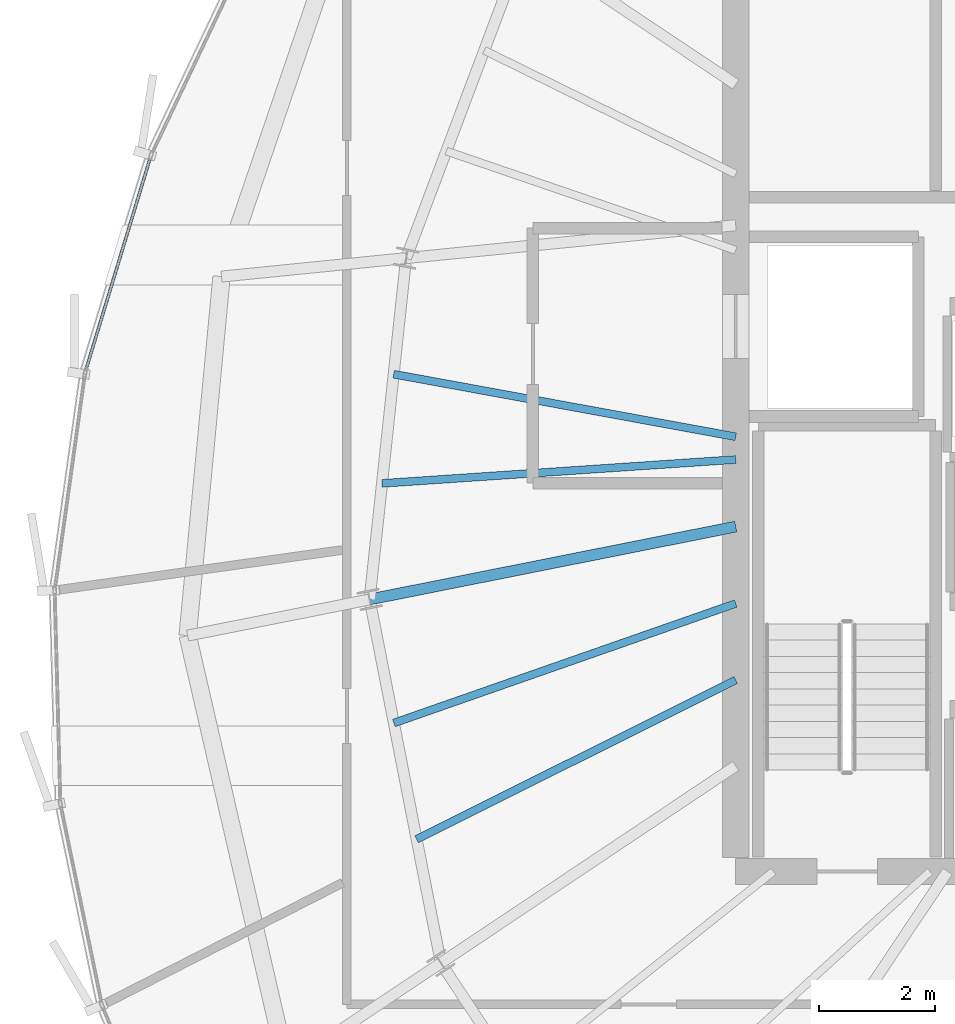
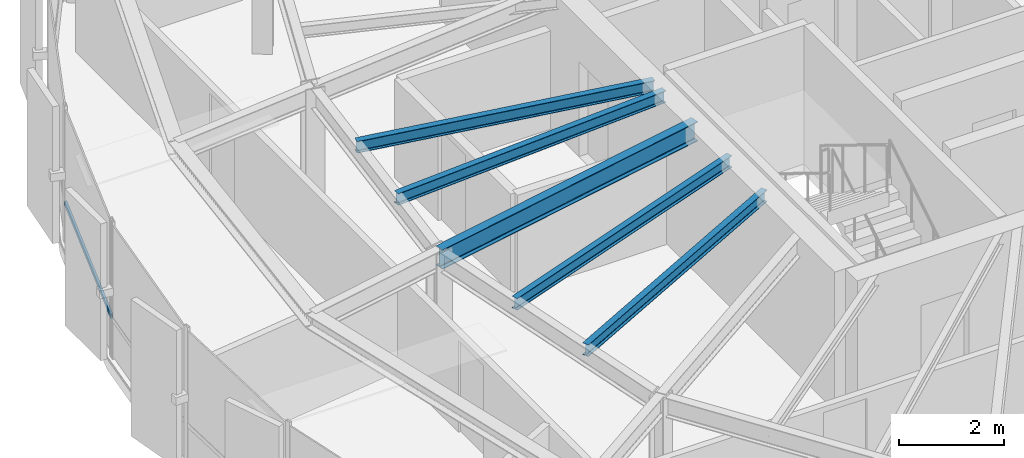
# One storey, part 10 of 35: 5 beams, 1 member, 1 element without a shape of its own.
"""IFC4 building model written with IfcOpenShell, lengths in metres."""

from ifc_helpers import new_model, si_unit, direction, frame, origin, origin_2d, place, context, subcontext, project, spatial, hollow_rectangle, i_section, extrude, source, transform, mapped, material, layer, layer_set, material_profile, profile_set, type_object, element, aggregate, save


model = new_model("IFC4")

# Units and contexts
model_context = context("Model", 3, precision=1e-05, world=origin(), true_north=direction((0.0, 1.0)))
body_context = subcontext(model_context, "Body", "Model", "MODEL_VIEW")
ifc_project = project(units=[si_unit("LENGTHUNIT", "METRE"), si_unit("AREAUNIT", "SQUARE_METRE"), si_unit("VOLUMEUNIT", "CUBIC_METRE"), si_unit("PLANEANGLEUNIT", "RADIAN"), si_unit("MASSUNIT", "GRAM", prefix="KILO"), si_unit("THERMODYNAMICTEMPERATUREUNIT", "KELVIN")], contexts=[model_context])

# Site, building, storey
site_placement = place(None, origin())
site = spatial("IfcSite", under=ifc_project, at=site_placement, CompositionType="ELEMENT")
building_placement = place(site_placement, origin())
building = spatial("IfcBuilding", under=site, at=building_placement, Name="Kethvar Cultural Tower", CompositionType="ELEMENT")
storey_placement = place(building_placement, frame((0.0, 0.0, 245.64990234375)))
storey = spatial("IfcBuildingStorey", under=building, at=storey_placement, Name="L64", CompositionType="ELEMENT", Elevation=245.64990234375)

# Beams
ifc_material_1 = material(Name="Steel S355J2", Category="steel")
ifc_material_profile_1 = material_profile(ifc_material_1, i_section(OverallWidth=0.18994140625, OverallDepth=0.449951171875, WebThickness=0.009521484375, FlangeThickness=0.0146484375, FilletRadius=0.02099609375, at=origin_2d()), Name="Steel S355J2 — IPE450")
ifc_profile_set_1 = profile_set([ifc_material_profile_1], Name="Steel S355J2 — IPE450")
beam_type_1 = type_object("IfcBeamType", Name="BM-IPE450", PredefinedType="BEAM", material=ifc_profile_set_1)
shared_shape_1 = source(origin(), body_context, "Body", "SweptSolid", [
    extrude(i_section(OverallWidth=0.18994140625, OverallDepth=0.449951171875, WebThickness=0.009521484375, FlangeThickness=0.0146484375, FilletRadius=0.02099609375, at=origin_2d()), origin(), (0.0, 0.0, 1.0), 6.440673828125),
])
beam_1_placement = place(storey_placement, frame((38.0, 26.049560546875, 2.983154296875), z_axis=(-0.980782804096, -0.195102770839, 0.0), x_axis=(0.195102770839, -0.980782804096, 0.0)))
element("IfcBeam", 1, at=beam_1_placement, inside=storey, type_object=beam_type_1, Name="L64 Primary Radial Beam RB-09", PredefinedType="BEAM", context=body_context, shape_type="MappedRepresentation", body=[
    mapped(shared_shape_1, transform((0.0, 0.0, 0.0), scale=1.0)),
])
ifc_material_profile_2 = material_profile(ifc_material_1, i_section(OverallWidth=0.135009765625, OverallDepth=0.27001953125, WebThickness=0.006591796875, FlangeThickness=0.01025390625, FilletRadius=0.014892578125, at=origin_2d()), Name="Steel S355J2 — IPE270")
ifc_profile_set_2 = profile_set([ifc_material_profile_2], Name="Steel S355J2 — IPE270")
beam_type_2 = type_object("IfcBeamType", Name="BM-J270", PredefinedType="JOIST", material=ifc_profile_set_2)
shared_shape_2 = source(origin(), body_context, "Body", "SweptSolid", [
    extrude(i_section(OverallWidth=0.135009765625, OverallDepth=0.27001953125, WebThickness=0.006591796875, FlangeThickness=0.01025390625, FilletRadius=0.014892578125, at=origin_2d()), origin(), (0.0, 0.0, 1.0), 5.99951171875),
])
beam_2_placement = place(storey_placement, frame((38.0, 27.60009765625, 3.072998046875), z_axis=(-0.983676616141, 0.179945310742, 0.0), x_axis=(-0.179945310742, -0.983676616141, 0.0)))
element("IfcBeam", 2, at=beam_2_placement, inside=storey, type_object=beam_type_2, Name="L64 Composite Floor Joist J-08A", PredefinedType="JOIST", context=body_context, shape_type="MappedRepresentation", body=[
    mapped(shared_shape_2, transform((0.0, 0.0, 0.0), scale=1.0)),
])
shared_shape_3 = source(origin(), body_context, "Body", "SweptSolid", [
    extrude(i_section(OverallWidth=0.135009765625, OverallDepth=0.27001953125, WebThickness=0.006591796875, FlangeThickness=0.01025390625, FilletRadius=0.014892578125, at=origin_2d()), origin(), (0.0, 0.0, 1.0), 6.116943359375),
])
beam_3_placement = place(storey_placement, frame((38.0, 27.206787109375, 3.072998046875), z_axis=(-0.997733289627, -0.067292516454, 0.0), x_axis=(0.067292516454, -0.997733289627, 0.0)))
element("IfcBeam", 3, at=beam_3_placement, inside=storey, type_object=beam_type_2, Name="L64 Composite Floor Joist J-08B", PredefinedType="JOIST", context=body_context, shape_type="MappedRepresentation", body=[
    mapped(shared_shape_3, transform((0.0, 0.0, 0.0), scale=1.0)),
])
shared_shape_4 = source(origin(), body_context, "Body", "SweptSolid", [
    extrude(i_section(OverallWidth=0.135009765625, OverallDepth=0.27001953125, WebThickness=0.006591796875, FlangeThickness=0.01025390625, FilletRadius=0.014892578125, at=origin_2d()), origin(), (0.0, 0.0, 1.0), 6.248779296875),
])
beam_4_placement = place(storey_placement, frame((38.0, 24.722900390625, 3.072998046875), z_axis=(-0.943960031743, -0.330059780148, 0.0), x_axis=(0.330059780148, -0.943960031743, 0.0)))
element("IfcBeam", 4, at=beam_4_placement, inside=storey, type_object=beam_type_2, Name="L64 Composite Floor Joist J-09A", PredefinedType="JOIST", context=body_context, shape_type="MappedRepresentation", body=[
    mapped(shared_shape_4, transform((0.0, 0.0, 0.0), scale=1.0)),
])
shared_shape_5 = source(origin(), body_context, "Body", "SweptSolid", [
    extrude(i_section(OverallWidth=0.135009765625, OverallDepth=0.27001953125, WebThickness=0.006591796875, FlangeThickness=0.01025390625, FilletRadius=0.014892578125, at=origin_2d()), origin(), (0.0, 0.0, 1.0), 6.154052734375),
])
beam_5_placement = place(storey_placement, frame((38.0, 23.40380859375, 3.072998046875), z_axis=(-0.89458581954, -0.446896197655, 0.0), x_axis=(0.446896197655, -0.89458581954, 0.0)))
element("IfcBeam", 5, at=beam_5_placement, inside=storey, type_object=beam_type_2, Name="L64 Composite Floor Joist J-09B", PredefinedType="JOIST", context=body_context, shape_type="MappedRepresentation", body=[
    mapped(shared_shape_5, transform((0.0, 0.0, 0.0), scale=1.0)),
])

# Curtain wall, member
ifc_material_2 = material(Name="Aluminium 6063-T6", Category="aluminium")
ifc_layer = layer(ifc_material_2, 0.179931640625, Name="Aluminium 6063-T6", Category="aluminium")
ifc_layer_set = layer_set([ifc_layer], Name="Aluminium 6063-T6 (180 mm)")
curtain_wall_type = type_object("IfcCurtainWallType", Name="CW-SYS-05-Z56", PredefinedType="NOTDEFINED", material=ifc_layer_set)
curtain_wall_placement = place(storey_placement, origin())
curtain_wall = element("IfcCurtainWall", 6, at=curtain_wall_placement, inside=storey, type_object=curtain_wall_type, Name="L64 Curtain Wall Run 02", PredefinedType="NOTDEFINED")
ifc_material_profile_3 = material_profile(ifc_material_2, hollow_rectangle(XDim=0.050048828125, YDim=0.10009765625, WallThickness=0.00390625, at=origin_2d()), Name="Aluminium 6063-T6 — RHS100x50x4")
ifc_profile_set_3 = profile_set([ifc_material_profile_3], Name="Aluminium 6063-T6 — RHS100x50x4")
member_type = type_object("IfcMemberType", Name="CW-SYS-05-Z56-TRN", PredefinedType="USERDEFINED", material=ifc_profile_set_3)
shared_shape_6 = source(origin(), body_context, "Body", "SweptSolid", [
    extrude(hollow_rectangle(XDim=0.050048828125, YDim=0.10009765625, WallThickness=0.00390625, at=origin_2d()), origin(), (0.0, 0.0, 1.0), 3.8447265625),
])
member_placement = place(storey_placement, frame((27.89990234375, 32.4169921875, 0.9501953125), z_axis=(-0.290393348908, -0.956907363808, 0.0), x_axis=(0.956907363808, -0.290393348908, 0.0)))
member = element("IfcMember", 7, at=member_placement, type_object=member_type, Name="CW-L64-R02 Transom 6", ObjectType="TRANSOM", PredefinedType="USERDEFINED", context=body_context, shape_type="MappedRepresentation", body=[
    mapped(shared_shape_6, transform((0.0, 0.0, 0.0), scale=1.0)),
])
aggregate(curtain_wall, [member])

save(model, "model.ifc")
